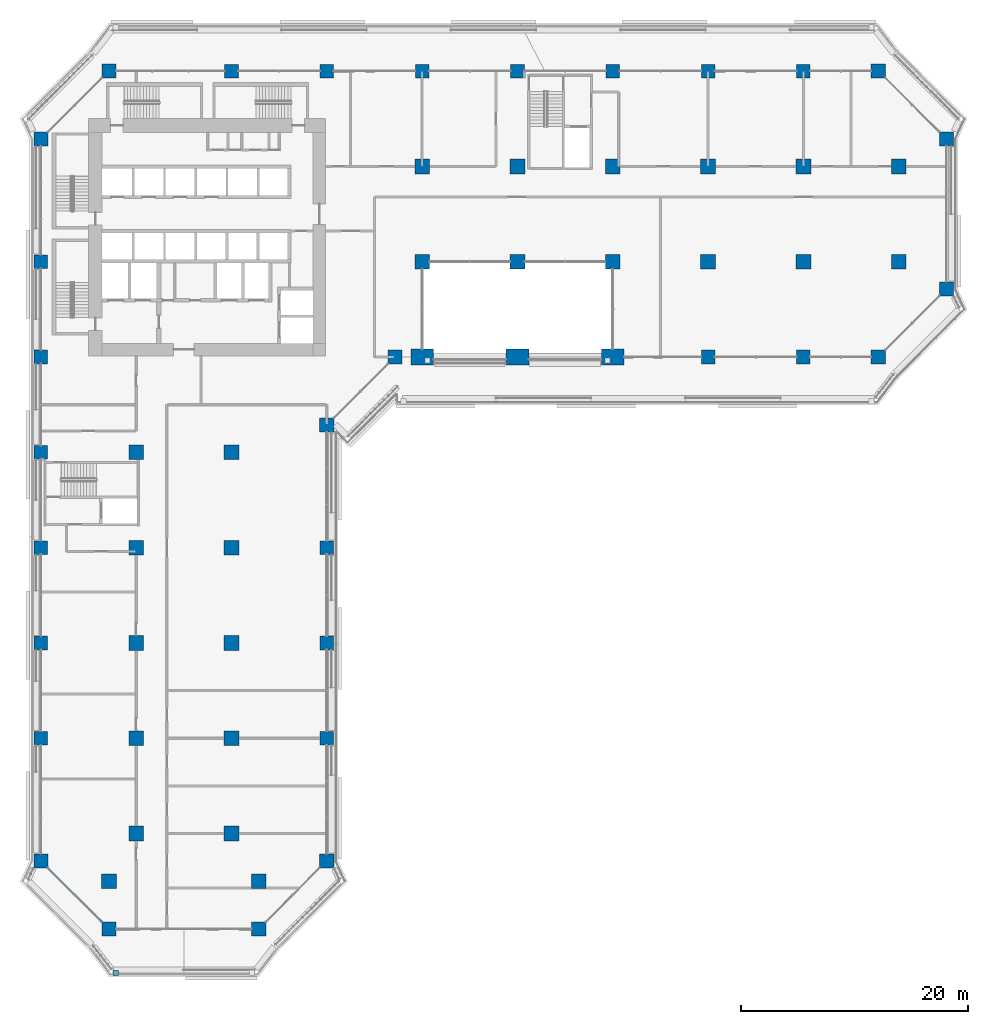
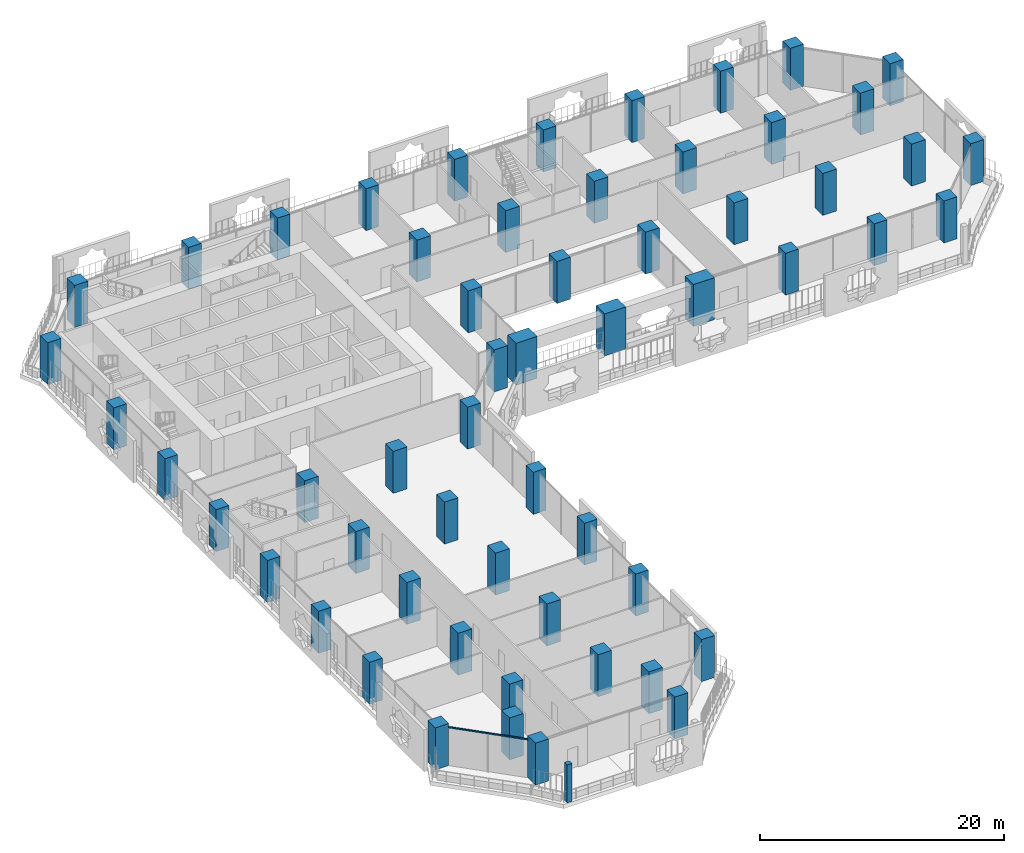
# One storey, part 1 of 27: 57 columns, 2 members, 2 elements without a shape of their own.
"""IFC4 building model written with IfcOpenShell, lengths in metres."""

from ifc_helpers import new_model, si_unit, direction, frame, origin, origin_2d, place, context, subcontext, project, spatial, rectangle, extrude, material, layer, layer_set, material_profile, profile_set, type_object, element, aggregate, save


model = new_model("IFC4")

# Units and contexts
model_context = context("Model", 3, precision=1e-05, world=origin(), true_north=direction((0.0, 1.0)))
body_context = subcontext(model_context, "Body", "Model", "MODEL_VIEW")
ifc_project = project(units=[si_unit("LENGTHUNIT", "METRE"), si_unit("AREAUNIT", "SQUARE_METRE"), si_unit("VOLUMEUNIT", "CUBIC_METRE"), si_unit("PLANEANGLEUNIT", "RADIAN"), si_unit("MASSUNIT", "GRAM", prefix="KILO")], contexts=[model_context])

# Site, building, storey
site_placement = place(None, origin())
site = spatial("IfcSite", under=ifc_project, at=site_placement, CompositionType="ELEMENT")
building_placement = place(site_placement, origin())
building = spatial("IfcBuilding", under=site, at=building_placement, Name="Kawkab Arch Medical Tower", CompositionType="ELEMENT")
storey_placement = place(building_placement, frame((0.0, 0.0, 43.39990234375)))
storey = spatial("IfcBuildingStorey", under=building, at=storey_placement, Name="L09", CompositionType="ELEMENT", Elevation=43.39990234375)

# Columns
ifc_material_1 = material(Name="Concrete C60/75", Category="concrete")
ifc_material_profile_1 = material_profile(ifc_material_1, rectangle(XDim=1.199951171875, YDim=1.199951171875, at=origin_2d()), Name="RC 1200x1200")
ifc_profile_set_1 = profile_set([ifc_material_profile_1], Name="Concrete C60/75")
column_type_1 = type_object("IfcColumnType", Name="RC 1200x1200 column C60/75", PredefinedType="COLUMN", material=ifc_profile_set_1)
for number, where, z_axis, x_axis, name in (
    (1, (16.800048828125, 0.0, 0.0), (0.0, 0.0, 1.0), (1.0, 0.0, 0.0), "Column RC 1200x1200"),
    (2, (25.199951171875, 0.0, 0.0), (0.0, 0.0, 1.0), (1.0, 0.0, 0.0), "Column RC 1200x1200"),
    (3, (33.60009765625, 0.0, 0.0), (0.0, 0.0, 1.0), (1.0, 0.0, 0.0), "Column RC 1200x1200"),
    (4, (42.0, 0.0, 0.0), (0.0, 0.0, 1.0), (1.0, 0.0, 0.0), "Column RC 1200x1200"),
    (5, (50.39990234375, 0.0, 0.0), (0.0, 0.0, 1.0), (1.0, 0.0, 0.0), "Column RC 1200x1200"),
    (6, (58.800048828125, 0.0, 0.0), (0.0, 0.0, 1.0), (1.0, 0.0, 0.0), "Column RC 1200x1200"),
    (7, (67.199951171875, 0.0, 0.0), (0.0, 0.0, 1.0), (1.0, 0.0, 0.0), "Column RC 1200x1200"),
    (8, (0.0, -16.800048828125, 0.0), (0.0, 0.0, 1.0), (1.0, 0.0, 0.0), "Column RC 1200x1200"),
    (9, (0.0, -25.199951171875, 0.0), (0.0, 0.0, 1.0), (1.0, 0.0, 0.0), "Column RC 1200x1200"),
    (10, (58.800048828125, -25.199951171875, 0.0), (0.0, 0.0, 1.0), (1.0, 0.0, 0.0), "Column RC 1200x1200"),
    (11, (67.199951171875, -25.199951171875, 0.0), (0.0, 0.0, 1.0), (1.0, 0.0, 0.0), "Column RC 1200x1200"),
    (12, (0.0, -33.60009765625, 0.0), (0.0, 0.0, 1.0), (1.0, 0.0, 0.0), "Column RC 1200x1200"),
    (13, (0.0, -42.0, 0.0), (0.0, 0.0, 1.0), (1.0, 0.0, 0.0), "Column RC 1200x1200"),
    (14, (25.199951171875, -42.0, 0.0), (0.0, 0.0, 1.0), (1.0, 0.0, 0.0), "Column RC 1200x1200"),
    (15, (0.0, -50.39990234375, 0.0), (0.0, 0.0, 1.0), (1.0, 0.0, 0.0), "Column RC 1200x1200"),
    (16, (25.199951171875, -50.39990234375, 0.0), (0.0, 0.0, 1.0), (1.0, 0.0, 0.0), "Column RC 1200x1200"),
    (17, (0.0, -58.800048828125, 0.0), (0.0, 0.0, 1.0), (1.0, 0.0, 0.0), "Column RC 1200x1200"),
    (18, (25.199951171875, -58.800048828125, 0.0), (0.0, 0.0, 1.0), (1.0, 0.0, 0.0), "Column RC 1200x1200"),
):
    element("IfcColumn", number, at=place(storey_placement, frame(where, z_axis=z_axis, x_axis=x_axis)), inside=storey, type_object=column_type_1, Name=name, PredefinedType="COLUMN", context=body_context, shape_type="SweptSolid", body=[
        extrude(rectangle(XDim=1.199951171875, YDim=1.199951171875, at=origin_2d()), origin(), (0.0, 0.0, 1.0), 4.2001953125),
    ])
ifc_material_2 = material(Name="Concrete C60/75", Category="concrete")
ifc_material_profile_2 = material_profile(ifc_material_2, rectangle(XDim=1.25, YDim=1.25, at=origin_2d()), Name="RC 1250x1250")
ifc_profile_set_2 = profile_set([ifc_material_profile_2], Name="Concrete C60/75")
column_type_2 = type_object("IfcColumnType", Name="RC 1250x1250 column C60/75", PredefinedType="COLUMN", material=ifc_profile_set_2)
for number, where, z_axis, x_axis, name in (
    (19, (6.0, 0.0, 0.0), (0.0, 0.0, 1.0), (1.0, 0.0, 0.0), "Column RC 1250x1250"),
    (20, (73.800048828125, 0.0, 0.0), (0.0, 0.0, 1.0), (1.0, 0.0, 0.0), "Column RC 1250x1250"),
    (21, (0.0, -6.0, 0.0), (0.0, 0.0, 1.0), (1.0, 0.0, 0.0), "Column RC 1250x1250"),
    (22, (79.800048828125, -6.0, 0.0), (0.0, 0.0, 1.0), (1.0, 0.0, 0.0), "Column RC 1250x1250"),
    (23, (79.800048828125, -19.199951171875, 0.0), (0.0, 0.0, 1.0), (1.0, 0.0, 0.0), "Column RC 1250x1250"),
    (24, (31.199951171875, -25.199951171875, 0.0), (0.0, 0.0, 1.0), (1.0, 0.0, 0.0), "Column RC 1250x1250"),
    (25, (73.800048828125, -25.199951171875, 0.0), (0.0, 0.0, 1.0), (1.0, 0.0, 0.0), "Column RC 1250x1250"),
    (26, (25.199951171875, -31.199951171875, 0.0), (0.0, 0.0, 1.0), (1.0, 0.0, 0.0), "Column RC 1250x1250"),
    (27, (0.0, -69.60009765625, 0.0), (0.0, 0.0, 1.0), (1.0, 0.0, 0.0), "Column RC 1250x1250"),
    (28, (25.199951171875, -69.60009765625, 0.0), (0.0, 0.0, 1.0), (1.0, 0.0, 0.0), "Column RC 1250x1250"),
    (29, (6.0, -75.60009765625, 0.0), (0.0, 0.0, 1.0), (1.0, 0.0, 0.0), "Column RC 1250x1250"),
    (30, (19.199951171875, -75.60009765625, 0.0), (0.0, 0.0, 1.0), (1.0, 0.0, 0.0), "Column RC 1250x1250"),
):
    element("IfcColumn", number, at=place(storey_placement, frame(where, z_axis=z_axis, x_axis=x_axis)), inside=storey, type_object=column_type_2, Name=name, PredefinedType="COLUMN", context=body_context, shape_type="SweptSolid", body=[
        extrude(rectangle(XDim=1.25, YDim=1.25, at=origin_2d()), origin(), (0.0, 0.0, 1.0), 4.2001953125),
    ])
ifc_material_3 = material(Name="Concrete C60/75", Category="concrete")
ifc_material_profile_3 = material_profile(ifc_material_3, rectangle(XDim=1.300048828125, YDim=1.300048828125, at=origin_2d()), Name="RC 1300x1300")
ifc_profile_set_3 = profile_set([ifc_material_profile_3], Name="Concrete C60/75")
column_type_3 = type_object("IfcColumnType", Name="RC 1300x1300 column C60/75", PredefinedType="COLUMN", material=ifc_profile_set_3)
for number, where, z_axis, x_axis, name in (
    (31, (33.60009765625, -8.39990234375, 0.0), (0.0, 0.0, 1.0), (1.0, 0.0, 0.0), "Column RC 1300x1300"),
    (32, (42.0, -8.39990234375, 0.0), (0.0, 0.0, 1.0), (1.0, 0.0, 0.0), "Column RC 1300x1300"),
    (33, (50.39990234375, -8.39990234375, 0.0), (0.0, 0.0, 1.0), (1.0, 0.0, 0.0), "Column RC 1300x1300"),
    (34, (58.800048828125, -8.39990234375, 0.0), (0.0, 0.0, 1.0), (1.0, 0.0, 0.0), "Column RC 1300x1300"),
    (35, (67.199951171875, -8.39990234375, 0.0), (0.0, 0.0, 1.0), (1.0, 0.0, 0.0), "Column RC 1300x1300"),
    (36, (75.60009765625, -8.39990234375, 0.0), (0.0, 0.0, 1.0), (1.0, 0.0, 0.0), "Column RC 1300x1300"),
    (37, (33.60009765625, -16.800048828125, 0.0), (0.0, 0.0, 1.0), (1.0, 0.0, 0.0), "Column RC 1300x1300"),
    (38, (42.0, -16.800048828125, 0.0), (0.0, 0.0, 1.0), (1.0, 0.0, 0.0), "Column RC 1300x1300"),
    (39, (50.39990234375, -16.800048828125, 0.0), (0.0, 0.0, 1.0), (1.0, 0.0, 0.0), "Column RC 1300x1300"),
    (40, (58.800048828125, -16.800048828125, 0.0), (0.0, 0.0, 1.0), (1.0, 0.0, 0.0), "Column RC 1300x1300"),
    (41, (67.199951171875, -16.800048828125, 0.0), (0.0, 0.0, 1.0), (1.0, 0.0, 0.0), "Column RC 1300x1300"),
    (42, (75.60009765625, -16.800048828125, 0.0), (0.0, 0.0, 1.0), (1.0, 0.0, 0.0), "Column RC 1300x1300"),
    (43, (8.39990234375, -33.60009765625, 0.0), (0.0, 0.0, 1.0), (1.0, 0.0, 0.0), "Column RC 1300x1300"),
    (44, (16.800048828125, -33.60009765625, 0.0), (0.0, 0.0, 1.0), (1.0, 0.0, 0.0), "Column RC 1300x1300"),
    (45, (8.39990234375, -42.0, 0.0), (0.0, 0.0, 1.0), (1.0, 0.0, 0.0), "Column RC 1300x1300"),
    (46, (16.800048828125, -42.0, 0.0), (0.0, 0.0, 1.0), (1.0, 0.0, 0.0), "Column RC 1300x1300"),
    (47, (8.39990234375, -50.39990234375, 0.0), (0.0, 0.0, 1.0), (1.0, 0.0, 0.0), "Column RC 1300x1300"),
    (48, (16.800048828125, -50.39990234375, 0.0), (0.0, 0.0, 1.0), (1.0, 0.0, 0.0), "Column RC 1300x1300"),
    (49, (8.39990234375, -58.800048828125, 0.0), (0.0, 0.0, 1.0), (1.0, 0.0, 0.0), "Column RC 1300x1300"),
    (50, (16.800048828125, -58.800048828125, 0.0), (0.0, 0.0, 1.0), (1.0, 0.0, 0.0), "Column RC 1300x1300"),
    (51, (8.39990234375, -67.199951171875, 0.0), (0.0, 0.0, 1.0), (1.0, 0.0, 0.0), "Column RC 1300x1300"),
    (52, (16.800048828125, -67.199951171875, 0.0), (0.0, 0.0, 1.0), (1.0, 0.0, 0.0), "Column RC 1300x1300"),
    (53, (6.0, -71.39990234375, 0.0), (0.0, 0.0, 1.0), (1.0, 0.0, 0.0), "Column RC 1300x1300"),
    (54, (19.199951171875, -71.39990234375, 0.0), (0.0, 0.0, 1.0), (1.0, 0.0, 0.0), "Column RC 1300x1300"),
):
    element("IfcColumn", number, at=place(storey_placement, frame(where, z_axis=z_axis, x_axis=x_axis)), inside=storey, type_object=column_type_3, Name=name, PredefinedType="COLUMN", context=body_context, shape_type="SweptSolid", body=[
        extrude(rectangle(XDim=1.300048828125, YDim=1.300048828125, at=origin_2d()), origin(), (0.0, 0.0, 1.0), 4.2001953125),
    ])
ifc_material_4 = material(Name="Concrete C60/75", Category="concrete")
ifc_material_profile_4 = material_profile(ifc_material_4, rectangle(XDim=2.0, YDim=1.39990234375, at=origin_2d()), Name="RC 2000x1400")
ifc_profile_set_4 = profile_set([ifc_material_profile_4], Name="Concrete C60/75")
column_type_4 = type_object("IfcColumnType", Name="RC 2000x1400 column C60/75", PredefinedType="COLUMN", material=ifc_profile_set_4)
for number, where, z_axis, x_axis, name in (
    (55, (33.60009765625, -25.199951171875, 0.0), (0.0, 0.0, 1.0), (-1.0, 0.0, 0.0), "Column RC 2000x1400"),
    (56, (42.0, -25.199951171875, 0.0), (0.0, 0.0, 1.0), (-1.0, 0.0, 0.0), "Column RC 2000x1400"),
    (57, (50.39990234375, -25.199951171875, 0.0), (0.0, 0.0, 1.0), (-1.0, 0.0, 0.0), "Column RC 2000x1400"),
):
    element("IfcColumn", number, at=place(storey_placement, frame(where, z_axis=z_axis, x_axis=x_axis)), inside=storey, type_object=column_type_4, Name=name, PredefinedType="COLUMN", context=body_context, shape_type="SweptSolid", body=[
        extrude(rectangle(XDim=2.0, YDim=1.39990234375, at=origin_2d()), origin(), (0.0, 0.0, 1.0), 4.2001953125),
    ])

# Curtain wall, member
ifc_material_5 = material(Name="Bronze anodised aluminium curtain wall frame", Category="aluminium")
ifc_layer_1 = layer(ifc_material_5, 0.159912109375)
ifc_layer_set_1 = layer_set([ifc_layer_1], Name="Bronze anodised aluminium curtain wall frame")
curtain_wall_type_1 = type_object("IfcCurtainWallType", Name="CW2 chamfer curtain wall", PredefinedType="NOTDEFINED", material=ifc_layer_set_1)
placement = place(storey_placement, origin())
curtain_wall_1 = element("IfcCurtainWall", 58, at=placement, inside=storey, type_object=curtain_wall_type_1, Name="CW2 Chamfer curtain wall R12", PredefinedType="NOTDEFINED")
ifc_material_6 = material(Name="Bronze anodised aluminium curtain wall frame", Category="aluminium")
ifc_material_profile_5 = material_profile(ifc_material_6, rectangle(XDim=0.06005859375, YDim=0.139892578125, at=origin_2d()), Name="AL 60x140")
ifc_profile_set_5 = profile_set([ifc_material_profile_5], Name="Bronze anodised aluminium curtain wall frame")
member_type_1 = type_object("IfcMemberType", Name="CW2 transom 140 x 60", PredefinedType="USERDEFINED", material=ifc_profile_set_5)
member_1_placement = place(storey_placement, frame((0.625, -70.22509765625, 3.830078125), z_axis=(0.707106781187, -0.707106781187, 0.0), x_axis=(0.707106781187, 0.707106781187, 0.0)))
member_1 = element("IfcMember", 59, at=member_1_placement, type_object=member_type_1, Name="CW2 transom 1", ObjectType="TRANSOM", PredefinedType="USERDEFINED", context=body_context, shape_type="SweptSolid", body=[
    extrude(rectangle(XDim=0.06005859375, YDim=0.139892578125, at=origin_2d()), origin(), (0.0, 0.0, 1.0), 6.717529296875),
])
aggregate(curtain_wall_1, [member_1])

ifc_material_7 = material(Name="Bronze anodised aluminium climber frame, planted", Category="aluminium")
ifc_layer_2 = layer(ifc_material_7, 0.449951171875)
ifc_layer_set_2 = layer_set([ifc_layer_2], Name="Bronze anodised aluminium climber frame, planted")
curtain_wall_type_2 = type_object("IfcCurtainWallType", Name="Planted climber frame", PredefinedType="NOTDEFINED", material=ifc_layer_set_2)
curtain_wall_2 = element("IfcCurtainWall", 60, at=placement, inside=storey, type_object=curtain_wall_type_2, Name="Planted climber frame L09", PredefinedType="NOTDEFINED")
ifc_material_8 = material(Name="Bronze anodised aluminium climber frame, planted", Category="aluminium")
ifc_material_profile_6 = material_profile(ifc_material_8, rectangle(XDim=0.449951171875, YDim=0.449951171875, at=origin_2d()), Name="Post 450x450")
ifc_profile_set_6 = profile_set([ifc_material_profile_6], Name="Bronze anodised aluminium climber frame, planted")
member_type_2 = type_object("IfcMemberType", Name="Planted climber post 450 x 450", PredefinedType="MULLION", material=ifc_profile_set_6)
member_2_placement = place(storey_placement, frame((6.596923828125, -79.5, 0.0), z_axis=(0.0, 0.0, 1.0), x_axis=(1.0, 0.0, 0.0)))
member_2 = element("IfcMember", 61, at=member_2_placement, type_object=member_type_2, Name="Planted climber post L09.LOG-01-02.2", PredefinedType="MULLION", context=body_context, shape_type="SweptSolid", body=[
    extrude(rectangle(XDim=0.449951171875, YDim=0.449951171875, at=origin_2d()), origin(), (0.0, 0.0, 1.0), 3.800048828125),
])
aggregate(curtain_wall_2, [member_2])

save(model, "model.ifc")
